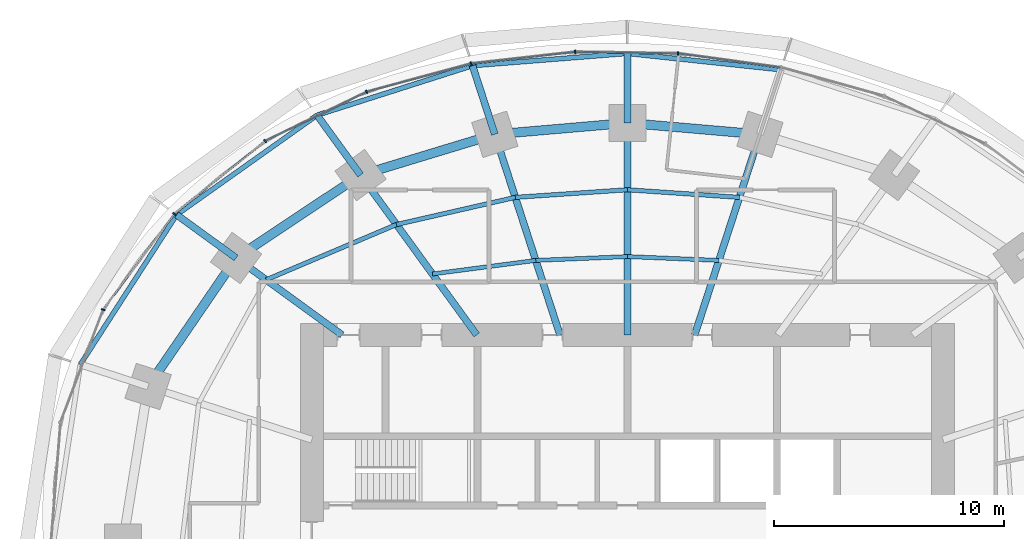
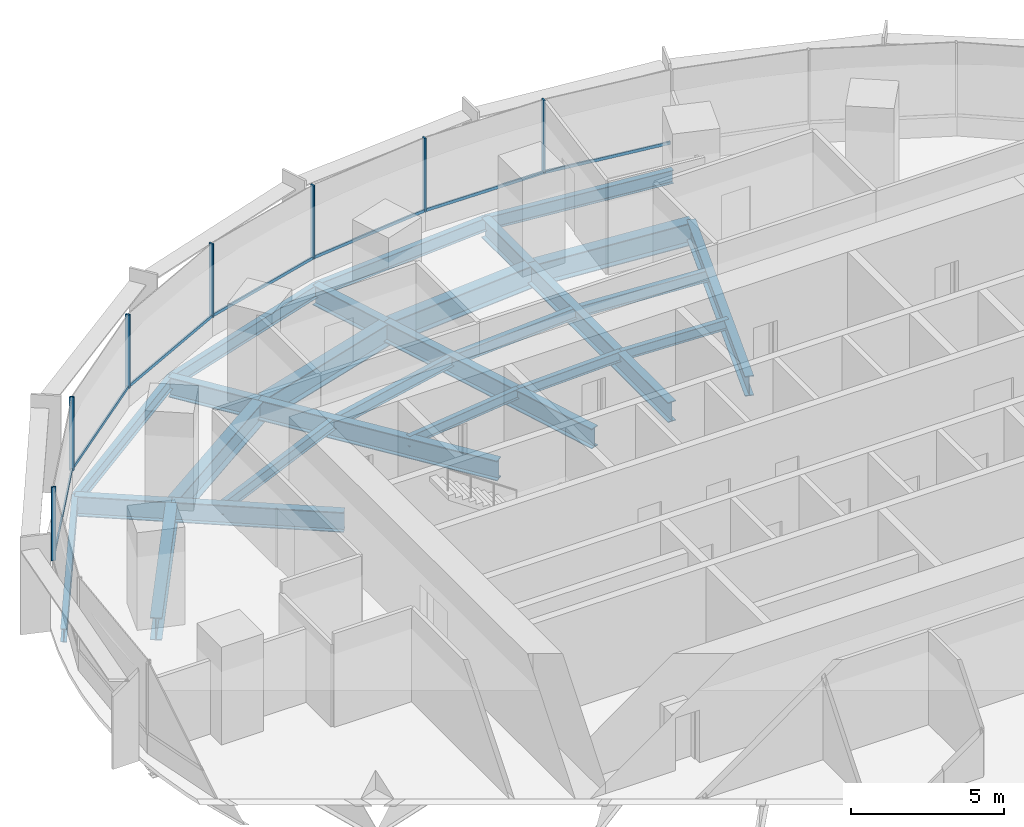
# One storey, part 7 of 14: 26 beams, 14 members, 2 elements without a shape of their own.
"""IFC4 building model written with IfcOpenShell, lengths in metres."""

from ifc_helpers import new_model, si_unit, direction, frame, origin, origin_2d, place, context, subcontext, project, spatial, rectangle, i_section, extrude, material, material_profile, profile_set, type_object, element, aggregate, save


model = new_model("IFC4")

# Units and contexts
model_context = context("Model", 3, precision=1e-05, world=origin(), true_north=direction((0.0, 1.0)))
body_context = subcontext(model_context, "Body", "Model", "MODEL_VIEW")
ifc_project = project(units=[si_unit("LENGTHUNIT", "METRE"), si_unit("AREAUNIT", "SQUARE_METRE"), si_unit("VOLUMEUNIT", "CUBIC_METRE"), si_unit("PLANEANGLEUNIT", "RADIAN"), si_unit("MASSUNIT", "GRAM", prefix="KILO")], contexts=[model_context])

# Site, building, storey
site_placement = place(None, origin())
site = spatial("IfcSite", under=ifc_project, at=site_placement, CompositionType="ELEMENT")
building_placement = place(site_placement, origin())
building = spatial("IfcBuilding", under=site, at=building_placement, Name="Marramba Exchange Tower", CompositionType="ELEMENT")
storey_placement = place(building_placement, frame((0.0, 0.0, 111.89990234375)))
storey = spatial("IfcBuildingStorey", under=building, at=storey_placement, Name="L26", CompositionType="ELEMENT", Elevation=111.89990234375)

# Beams
ifc_material_1 = material(Name="Steel AS/NZS 3679.2 grade 300", Category="steel")
ifc_material_profile_1 = material_profile(ifc_material_1, i_section(OverallWidth=0.300048828125, OverallDepth=0.800048828125, WebThickness=0.013916015625, FlangeThickness=0.031982421875, at=origin_2d()), Name="800WB192")
ifc_profile_set_1 = profile_set([ifc_material_profile_1], Name="Steel AS/NZS 3679.2 grade 300")
beam_type_1 = type_object("IfcBeamType", Name="Cantilever girder 800WB192", PredefinedType="BEAM", material=ifc_profile_set_1)
beam_1_placement = place(storey_placement, frame((0.0, 18.2041015625, -0.559814453125), z_axis=(0.0, 1.0, 0.0), x_axis=(-1.0, 0.0, 0.0)))
element("IfcBeam", 1, at=beam_1_placement, inside=storey, type_object=beam_type_1, Name="Cantilever girder L26 TC06", PredefinedType="BEAM", context=body_context, shape_type="SweptSolid", body=[
    extrude(i_section(OverallWidth=0.300048828125, OverallDepth=0.800048828125, WebThickness=0.013916015625, FlangeThickness=0.031982421875, at=origin_2d()), origin(), (0.0, 0.0, 1.0), 3.01904296875),
])
beam_2_placement = place(storey_placement, frame((-5.75390625, 17.70849609375, -0.559814453125), z_axis=(-0.309028002802, 0.95105293937, 0.0), x_axis=(-0.95105293937, -0.309028002802, 0.0)))
element("IfcBeam", 2, at=beam_2_placement, inside=storey, type_object=beam_type_1, Name="Cantilever girder L26 TC07", PredefinedType="BEAM", context=body_context, shape_type="SweptSolid", body=[
    extrude(i_section(OverallWidth=0.300048828125, OverallDepth=0.800048828125, WebThickness=0.013916015625, FlangeThickness=0.031982421875, at=origin_2d()), origin(), (0.0, 0.0, 1.0), 3.13720703125),
])
beam_3_placement = place(storey_placement, frame((-11.581298828125, 15.9404296875, -0.559814453125), z_axis=(-0.587828447158, 0.808985609706, 0.0), x_axis=(-0.808985609706, -0.587828447158, 0.0)))
element("IfcBeam", 3, at=beam_3_placement, inside=storey, type_object=beam_type_1, Name="Cantilever girder L26 TC08", PredefinedType="BEAM", context=body_context, shape_type="SweptSolid", body=[
    extrude(i_section(OverallWidth=0.300048828125, OverallDepth=0.800048828125, WebThickness=0.013916015625, FlangeThickness=0.031982421875, at=origin_2d()), origin(), (0.0, 0.0, 1.0), 3.214599609375),
])
beam_4_placement = place(storey_placement, frame((-16.98583984375, 12.3408203125, -0.559814453125), z_axis=(-0.809013857915, 0.587789569234, 0.0), x_axis=(-0.587789569234, -0.809013857915, 0.0)))
element("IfcBeam", 4, at=beam_4_placement, inside=storey, type_object=beam_type_1, Name="Cantilever girder L26 TC09", PredefinedType="BEAM", context=body_context, shape_type="SweptSolid", body=[
    extrude(i_section(OverallWidth=0.300048828125, OverallDepth=0.800048828125, WebThickness=0.013916015625, FlangeThickness=0.031982421875, at=origin_2d()), origin(), (0.0, 0.0, 1.0), 3.191650390625),
])
ifc_material_2 = material(Name="Steel AS/NZS 3679.1 grade 300", Category="steel")
ifc_material_profile_2 = material_profile(ifc_material_2, i_section(OverallWidth=0.177978515625, OverallDepth=0.406005859375, WebThickness=0.0078125, FlangeThickness=0.0126953125, FilletRadius=0.011474609375, at=origin_2d()), Name="410UB59.7")
ifc_profile_set_2 = profile_set([ifc_material_profile_2], Name="Steel AS/NZS 3679.1 grade 300")
beam_type_2 = type_object("IfcBeamType", Name="Floor joist 410UB59.7", PredefinedType="JOIST", material=ifc_profile_set_2)
for number, where, z_axis, x_axis, name in (
    (5, (3.975830078125, 12.236083984375, -0.36279296875), (-0.999137002892, 0.041536122257, 0.0), (-0.041536122257, -0.999137002892, 0.0), "Joist L26 bay 05 row 1"),
    (6, (0.0, 12.4013671875, -0.36279296875), (-0.999137002892, -0.041536122257, 0.0), (0.041536122257, -0.999137002892, 0.0), "Joist L26 bay 06 row 1"),
):
    element("IfcBeam", number, at=place(storey_placement, frame(where, z_axis=z_axis, x_axis=x_axis)), inside=storey, type_object=beam_type_2, Name=name, PredefinedType="JOIST", context=body_context, shape_type="SweptSolid", body=[
        extrude(i_section(OverallWidth=0.177978515625, OverallDepth=0.406005859375, WebThickness=0.0078125, FlangeThickness=0.0126953125, FilletRadius=0.011474609375, at=origin_2d()), origin(), (0.0, 0.0, 1.0), 3.979248046875),
    ])
beam_5_placement = place(storey_placement, frame((-3.975830078125, 12.236083984375, -0.36279296875), z_axis=(-0.991480538255, -0.130254912618, 0.0), x_axis=(0.130254912618, -0.991480538255, 0.0)))
element("IfcBeam", 7, at=beam_5_placement, inside=storey, type_object=beam_type_2, Name="Joist L26 bay 07 row 1", PredefinedType="JOIST", context=body_context, shape_type="SweptSolid", body=[
    extrude(i_section(OverallWidth=0.177978515625, OverallDepth=0.406005859375, WebThickness=0.0078125, FlangeThickness=0.0126953125, FilletRadius=0.011474609375, at=origin_2d()), origin(), (0.0, 0.0, 1.0), 4.524658203125),
])
ifc_material_profile_3 = material_profile(ifc_material_2, i_section(OverallWidth=0.18994140625, OverallDepth=0.4541015625, WebThickness=0.008544921875, FlangeThickness=0.0126953125, FilletRadius=0.011474609375, at=origin_2d()), Name="460UB67.1")
ifc_profile_set_3 = profile_set([ifc_material_profile_3], Name="Steel AS/NZS 3679.1 grade 300")
beam_type_3 = type_object("IfcBeamType", Name="Floor joist 460UB67.1", PredefinedType="JOIST", material=ifc_profile_set_3)
for number, where, z_axis, x_axis, name in (
    (8, (4.86474609375, 14.972412109375, -0.386962890625), (-0.997702652202, 0.067745241816, 0.0), (-0.067745241816, -0.997702652202, 0.0), "Joist L26 bay 05 row 2"),
    (9, (0.0, 15.302734375, -0.386962890625), (-0.997702652202, -0.067745241816, 0.0), (0.067745241816, -0.997702652202, 0.0), "Joist L26 bay 06 row 2"),
):
    element("IfcBeam", number, at=place(storey_placement, frame(where, z_axis=z_axis, x_axis=x_axis)), inside=storey, type_object=beam_type_3, Name=name, PredefinedType="JOIST", context=body_context, shape_type="SweptSolid", body=[
        extrude(i_section(OverallWidth=0.18994140625, OverallDepth=0.4541015625, WebThickness=0.008544921875, FlangeThickness=0.0126953125, FilletRadius=0.011474609375, at=origin_2d()), origin(), (0.0, 0.0, 1.0), 4.8759765625),
    ])
beam_6_placement = place(storey_placement, frame((-4.86474609375, 14.972412109375, -0.386962890625), z_axis=(-0.974859652292, -0.222819788916, 0.0), x_axis=(0.222819788916, -0.974859652292, 0.0)))
element("IfcBeam", 10, at=beam_6_placement, inside=storey, type_object=beam_type_3, Name="Joist L26 bay 07 row 2", PredefinedType="JOIST", context=body_context, shape_type="SweptSolid", body=[
    extrude(i_section(OverallWidth=0.18994140625, OverallDepth=0.4541015625, WebThickness=0.008544921875, FlangeThickness=0.0126953125, FilletRadius=0.011474609375, at=origin_2d()), origin(), (0.0, 0.0, 1.0), 5.2900390625),
])
beam_7_placement = place(storey_placement, frame((-10.021728515625, 13.793701171875, -0.386962890625), z_axis=(-0.920674336375, -0.390331610738, 0.0), x_axis=(0.390331610738, -0.920674336375, 0.0)))
element("IfcBeam", 11, at=beam_7_placement, inside=storey, type_object=beam_type_3, Name="Joist L26 bay 08 row 2", PredefinedType="JOIST", context=body_context, shape_type="SweptSolid", body=[
    extrude(i_section(OverallWidth=0.18994140625, OverallDepth=0.4541015625, WebThickness=0.008544921875, FlangeThickness=0.0126953125, FilletRadius=0.011474609375, at=origin_2d()), origin(), (0.0, 0.0, 1.0), 6.1484375),
])

# Curtain wall, members
ifc_material_3 = material(Name="Aluminium framing, bronze anodised", Category="aluminium")
curtain_wall_type = type_object("IfcCurtainWallType", Name="Office ribbon curtain wall", PredefinedType="USERDEFINED", material=ifc_material_3)
curtain_wall_1_placement = place(storey_placement, origin())
curtain_wall_1 = element("IfcCurtainWall", 12, at=curtain_wall_1_placement, inside=storey, type_object=curtain_wall_type, Name="Curtain wall CW4 L26 F06-F10", ObjectType="RIBBON CURTAIN WALL", PredefinedType="USERDEFINED")
ifc_material_4 = material(Name="Aluminium mullion, bronze anodised", Category="aluminium")
ifc_material_profile_4 = material_profile(ifc_material_4, rectangle(XDim=0.159912109375, YDim=0.06005859375, at=origin_2d()), Name="CW4 mullion 60x160")
ifc_profile_set_4 = profile_set([ifc_material_profile_4], Name="Aluminium mullion, bronze anodised")
member_type_1 = type_object("IfcMemberType", Name="Office ribbon curtain wall mullion", PredefinedType="MULLION", material=ifc_profile_set_4)
member_1_placement = place(storey_placement, frame((2.200439453125, 21.2216796875, 0.800048828125), z_axis=(0.0, 0.0, 1.0), x_axis=(-0.01575578169, -0.999875869968, 0.0)))
member_1 = element("IfcMember", 13, at=member_1_placement, type_object=member_type_1, Name="CW4 mullion 1", PredefinedType="MULLION", context=body_context, shape_type="SweptSolid", body=[
    extrude(rectangle(XDim=0.159912109375, YDim=0.06005859375, at=origin_2d()), origin(), (0.0, 0.0, 1.0), 2.93994140625),
])
member_2_placement = place(storey_placement, frame((-2.267578125, 21.288330078125, 0.800048828125), z_axis=(0.0, 0.0, 1.0), x_axis=(0.110973233233, -0.993823395532, 0.0)))
member_2 = element("IfcMember", 14, at=member_2_placement, type_object=member_type_1, Name="CW4 mullion 1", PredefinedType="MULLION", context=body_context, shape_type="SweptSolid", body=[
    extrude(rectangle(XDim=0.159912109375, YDim=0.06005859375, at=origin_2d()), origin(), (0.0, 0.0, 1.0), 2.93994140625),
])
member_3_placement = place(storey_placement, frame((-6.783203125, 20.779541015625, 0.800048828125), z_axis=(0.0, 0.0, 1.0), x_axis=(0.260321294588, -0.965522047176, 0.0)))
member_3 = element("IfcMember", 15, at=member_3_placement, type_object=member_type_1, Name="CW4 mullion 1", PredefinedType="MULLION", context=body_context, shape_type="SweptSolid", body=[
    extrude(rectangle(XDim=0.159912109375, YDim=0.06005859375, at=origin_2d()), origin(), (0.0, 0.0, 1.0), 2.93994140625),
])

curtain_wall_2_placement = place(storey_placement, origin())
curtain_wall_2 = element("IfcCurtainWall", 16, at=curtain_wall_2_placement, inside=storey, type_object=curtain_wall_type, Name="Curtain wall CW4 L26 F11-F15", ObjectType="RIBBON CURTAIN WALL", PredefinedType="USERDEFINED")
member_4_placement = place(storey_placement, frame((-11.32177734375, 19.550048828125, 0.800048828125), z_axis=(0.0, 0.0, 1.0), x_axis=(0.435427626771, -0.900223739881, 0.0)))
member_4 = element("IfcMember", 17, at=member_4_placement, type_object=member_type_1, Name="CW4 mullion 1", PredefinedType="MULLION", context=body_context, shape_type="SweptSolid", body=[
    extrude(rectangle(XDim=0.159912109375, YDim=0.06005859375, at=origin_2d()), origin(), (0.0, 0.0, 1.0), 2.93994140625),
])
member_5_placement = place(storey_placement, frame((-15.720703125, 17.414794921875, 0.800048828125), z_axis=(0.0, 0.0, 1.0), x_axis=(0.624307950145, -0.78117833008, 0.0)))
member_5 = element("IfcMember", 18, at=member_5_placement, type_object=member_type_1, Name="CW4 mullion 1", PredefinedType="MULLION", context=body_context, shape_type="SweptSolid", body=[
    extrude(rectangle(XDim=0.159912109375, YDim=0.06005859375, at=origin_2d()), origin(), (0.0, 0.0, 1.0), 2.93994140625),
])
member_6_placement = place(storey_placement, frame((-19.666748046875, 14.251708984375, 0.800048828125), z_axis=(0.0, 0.0, 1.0), x_axis=(0.80171686484, -0.597703997504, 0.0)))
member_6 = element("IfcMember", 19, at=member_6_placement, type_object=member_type_1, Name="CW4 mullion 1", PredefinedType="MULLION", context=body_context, shape_type="SweptSolid", body=[
    extrude(rectangle(XDim=0.159912109375, YDim=0.06005859375, at=origin_2d()), origin(), (0.0, 0.0, 1.0), 2.93994140625),
])
member_7_placement = place(storey_placement, frame((-22.75341796875, 10.09765625, 0.800048828125), z_axis=(0.0, 0.0, 1.0), x_axis=(0.934925346317, -0.354844468484, 0.0)))
member_7 = element("IfcMember", 20, at=member_7_placement, type_object=member_type_1, Name="CW4 mullion 1", PredefinedType="MULLION", context=body_context, shape_type="SweptSolid", body=[
    extrude(rectangle(XDim=0.159912109375, YDim=0.06005859375, at=origin_2d()), origin(), (0.0, 0.0, 1.0), 2.93994140625),
])

# Member
ifc_material_5 = material(Name="Aluminium transom, bronze anodised", Category="aluminium")
ifc_material_profile_5 = material_profile(ifc_material_5, rectangle(XDim=0.06005859375, YDim=0.1201171875, at=origin_2d()), Name="CW4 transom 60x120")
ifc_profile_set_5 = profile_set([ifc_material_profile_5], Name="Aluminium transom, bronze anodised")
member_type_2 = type_object("IfcMemberType", Name="Office ribbon curtain wall transom", PredefinedType="USERDEFINED", material=ifc_profile_set_5)
member_8_placement = place(storey_placement, frame((6.636962890625, 20.6171875, 0.830078125), z_axis=(-0.990736067897, 0.135801486619, 0.0), x_axis=(-0.135801486619, -0.990736067897, 0.0)))
member_8 = element("IfcMember", 21, at=member_8_placement, type_object=member_type_2, Name="CW4 sill transom", ObjectType="TRANSOM", PredefinedType="USERDEFINED", context=body_context, shape_type="SweptSolid", body=[
    extrude(rectangle(XDim=0.06005859375, YDim=0.1201171875, at=origin_2d()), origin(), (0.0, 0.0, 1.0), 4.44775390625),
])

member_9_placement = place(storey_placement, frame((2.17041015625, 21.22216796875, 0.830078125), z_axis=(-0.999875452363, 0.015782260962, 0.0), x_axis=(-0.015782260962, -0.999875452363, 0.0)))
member_9 = element("IfcMember", 22, at=member_9_placement, type_object=member_type_2, Name="CW4 sill transom", ObjectType="TRANSOM", PredefinedType="USERDEFINED", context=body_context, shape_type="SweptSolid", body=[
    extrude(rectangle(XDim=0.06005859375, YDim=0.1201171875, at=origin_2d()), origin(), (0.0, 0.0, 1.0), 4.40869140625),
])

member_10_placement = place(storey_placement, frame((-2.29736328125, 21.284912109375, 0.830078125), z_axis=(-0.993825837835, -0.110951358943, 0.0), x_axis=(0.110951358943, -0.993825837835, 0.0)))
member_10 = element("IfcMember", 23, at=member_10_placement, type_object=member_type_2, Name="CW4 sill transom", ObjectType="TRANSOM", PredefinedType="USERDEFINED", context=body_context, shape_type="SweptSolid", body=[
    extrude(rectangle(XDim=0.06005859375, YDim=0.1201171875, at=origin_2d()), origin(), (0.0, 0.0, 1.0), 4.484375),
])

member_11_placement = place(storey_placement, frame((-6.812255859375, 20.771728515625, 0.830078125), z_axis=(-0.965511085148, -0.260361948942, 0.0), x_axis=(0.260361948942, -0.965511085148, 0.0)))
member_11 = element("IfcMember", 24, at=member_11_placement, type_object=member_type_2, Name="CW4 sill transom", ObjectType="TRANSOM", PredefinedType="USERDEFINED", context=body_context, shape_type="SweptSolid", body=[
    extrude(rectangle(XDim=0.06005859375, YDim=0.1201171875, at=origin_2d()), origin(), (0.0, 0.0, 1.0), 4.642578125),
])

aggregate(curtain_wall_1, [member_8, member_1, member_9, member_2, member_10, member_3, member_11])

member_12_placement = place(storey_placement, frame((-11.348876953125, 19.536865234375, 0.830078125), z_axis=(-0.900223166385, -0.435428812442, 0.0), x_axis=(0.435428812442, -0.900223166385, 0.0)))
member_12 = element("IfcMember", 25, at=member_12_placement, type_object=member_type_2, Name="CW4 sill transom", ObjectType="TRANSOM", PredefinedType="USERDEFINED", context=body_context, shape_type="SweptSolid", body=[
    extrude(rectangle(XDim=0.06005859375, YDim=0.1201171875, at=origin_2d()), origin(), (0.0, 0.0, 1.0), 4.830322265625),
])

member_13_placement = place(storey_placement, frame((-15.744140625, 17.396240234375, 0.830078125), z_axis=(-0.781164169531, -0.624325668414, 0.0), x_axis=(0.624325668414, -0.781164169531, 0.0)))
member_13 = element("IfcMember", 26, at=member_13_placement, type_object=member_type_2, Name="CW4 sill transom", ObjectType="TRANSOM", PredefinedType="USERDEFINED", context=body_context, shape_type="SweptSolid", body=[
    extrude(rectangle(XDim=0.06005859375, YDim=0.1201171875, at=origin_2d()), origin(), (0.0, 0.0, 1.0), 4.998291015625),
])

member_14_placement = place(storey_placement, frame((-19.6845703125, 14.2275390625, 0.830078125), z_axis=(-0.597714731658, -0.801708862093, 0.0), x_axis=(0.801708862093, -0.597714731658, 0.0)))
member_14 = element("IfcMember", 27, at=member_14_placement, type_object=member_type_2, Name="CW4 sill transom", ObjectType="TRANSOM", PredefinedType="USERDEFINED", context=body_context, shape_type="SweptSolid", body=[
    extrude(rectangle(XDim=0.06005859375, YDim=0.1201171875, at=origin_2d()), origin(), (0.0, 0.0, 1.0), 5.1162109375),
])

aggregate(curtain_wall_2, [member_4, member_12, member_5, member_13, member_6, member_14, member_7])

# Beams
ifc_material_profile_6 = material_profile(ifc_material_1, i_section(OverallWidth=0.300048828125, OverallDepth=0.800048828125, WebThickness=0.013916015625, FlangeThickness=0.031982421875, at=origin_2d()), Name="800WB192")
ifc_profile_set_6 = profile_set([ifc_material_profile_6], Name="Steel AS/NZS 3679.2 grade 300")
beam_type_4 = type_object("IfcBeamType", Name="Radial girder 800WB192", PredefinedType="BEAM", material=ifc_profile_set_6)
beam_8_placement = place(storey_placement, frame((2.92431640625, 9.0, -0.559814453125), z_axis=(0.309019754162, 0.951055619582, 0.0), x_axis=(-0.951055619582, 0.309019754162, 0.0)))
element("IfcBeam", 28, at=beam_8_placement, inside=storey, type_object=beam_type_4, Name="Radial girder L26 TC05", PredefinedType="BEAM", context=body_context, shape_type="SweptSolid", body=[
    extrude(i_section(OverallWidth=0.300048828125, OverallDepth=0.800048828125, WebThickness=0.013916015625, FlangeThickness=0.031982421875, at=origin_2d()), origin(), (0.0, 0.0, 1.0), 9.15673828125),
])
beam_9_placement = place(storey_placement, frame((0.0, 9.0, -0.559814453125), z_axis=(0.0, 1.0, 0.0), x_axis=(-1.0, 0.0, 0.0)))
element("IfcBeam", 29, at=beam_9_placement, inside=storey, type_object=beam_type_4, Name="Radial girder L26 TC06", PredefinedType="BEAM", context=body_context, shape_type="SweptSolid", body=[
    extrude(i_section(OverallWidth=0.300048828125, OverallDepth=0.800048828125, WebThickness=0.013916015625, FlangeThickness=0.031982421875, at=origin_2d()), origin(), (0.0, 0.0, 1.0), 9.2041015625),
])
beam_10_placement = place(storey_placement, frame((-2.92431640625, 9.0, -0.559814453125), z_axis=(-0.309019754162, 0.951055619582, 0.0), x_axis=(-0.951055619582, -0.309019754162, 0.0)))
element("IfcBeam", 30, at=beam_10_placement, inside=storey, type_object=beam_type_4, Name="Radial girder L26 TC07", PredefinedType="BEAM", context=body_context, shape_type="SweptSolid", body=[
    extrude(i_section(OverallWidth=0.300048828125, OverallDepth=0.800048828125, WebThickness=0.013916015625, FlangeThickness=0.031982421875, at=origin_2d()), origin(), (0.0, 0.0, 1.0), 9.15673828125),
])
beam_11_placement = place(storey_placement, frame((-6.538818359375, 9.0, -0.559814453125), z_axis=(-0.587782439969, 0.80901903764, 0.0), x_axis=(-0.80901903764, -0.587782439969, 0.0)))
element("IfcBeam", 31, at=beam_11_placement, inside=storey, type_object=beam_type_4, Name="Radial girder L26 TC08", PredefinedType="BEAM", context=body_context, shape_type="SweptSolid", body=[
    extrude(i_section(OverallWidth=0.300048828125, OverallDepth=0.800048828125, WebThickness=0.013916015625, FlangeThickness=0.031982421875, at=origin_2d()), origin(), (0.0, 0.0, 1.0), 8.578857421875),
])
beam_12_placement = place(storey_placement, frame((-12.387451171875, 9.0, -0.559814453125), z_axis=(-0.809025746925, 0.587773205252, 0.0), x_axis=(-0.587773205252, -0.809025746925, 0.0)))
element("IfcBeam", 32, at=beam_12_placement, inside=storey, type_object=beam_type_4, Name="Radial girder L26 TC09", PredefinedType="BEAM", context=body_context, shape_type="SweptSolid", body=[
    extrude(i_section(OverallWidth=0.300048828125, OverallDepth=0.800048828125, WebThickness=0.013916015625, FlangeThickness=0.031982421875, at=origin_2d()), origin(), (0.0, 0.0, 1.0), 5.683837890625),
])
ifc_material_profile_7 = material_profile(ifc_material_1, i_section(OverallWidth=0.39990234375, OverallDepth=0.89990234375, WebThickness=0.01611328125, FlangeThickness=0.031982421875, at=origin_2d()), Name="900WB282")
ifc_profile_set_7 = profile_set([ifc_material_profile_7], Name="Steel AS/NZS 3679.2 grade 300")
beam_type_5 = type_object("IfcBeamType", Name="Ring beam 900WB282", PredefinedType="SPANDREL", material=ifc_profile_set_7)
for number, where, z_axis, x_axis, name in (
    (33, (5.75390625, 17.70849609375, -0.60986328125), (-0.996311003275, 0.085815993578, 0.0), (-0.085815993578, -0.996311003275, 0.0), "Ring beam L26 TC05-TC06"),
    (34, (0.0, 18.2041015625, -0.60986328125), (-0.996311003275, -0.085815993578, 0.0), (0.085815993578, -0.996311003275, 0.0), "Ring beam L26 TC06-TC07"),
):
    element("IfcBeam", number, at=place(storey_placement, frame(where, z_axis=z_axis, x_axis=x_axis)), inside=storey, type_object=beam_type_5, Name=name, PredefinedType="SPANDREL", context=body_context, shape_type="SweptSolid", body=[
        extrude(i_section(OverallWidth=0.39990234375, OverallDepth=0.89990234375, WebThickness=0.01611328125, FlangeThickness=0.031982421875, at=origin_2d()), origin(), (0.0, 0.0, 1.0), 5.775146484375),
    ])
beam_13_placement = place(storey_placement, frame((-5.75390625, 17.70849609375, -0.60986328125), z_axis=(-0.956924542524, -0.290336735387, 0.0), x_axis=(0.290336735387, -0.956924542524, 0.0)))
element("IfcBeam", 35, at=beam_13_placement, inside=storey, type_object=beam_type_5, Name="Ring beam L26 TC07-TC08", PredefinedType="SPANDREL", context=body_context, shape_type="SweptSolid", body=[
    extrude(i_section(OverallWidth=0.39990234375, OverallDepth=0.89990234375, WebThickness=0.01611328125, FlangeThickness=0.031982421875, at=origin_2d()), origin(), (0.0, 0.0, 1.0), 6.089599609375),
])
beam_14_placement = place(storey_placement, frame((-11.581298828125, 15.9404296875, -0.60986328125), z_axis=(-0.832293151443, -0.554335737673, 0.0), x_axis=(0.554335737673, -0.832293151443, 0.0)))
element("IfcBeam", 36, at=beam_14_placement, inside=storey, type_object=beam_type_5, Name="Ring beam L26 TC08-TC09", PredefinedType="SPANDREL", context=body_context, shape_type="SweptSolid", body=[
    extrude(i_section(OverallWidth=0.39990234375, OverallDepth=0.89990234375, WebThickness=0.01611328125, FlangeThickness=0.031982421875, at=origin_2d()), origin(), (0.0, 0.0, 1.0), 6.49365234375),
])
beam_15_placement = place(storey_placement, frame((-16.98583984375, 12.3408203125, -0.60986328125), z_axis=(-0.56516002054, -0.824981303535, 0.0), x_axis=(0.824981303535, -0.56516002054, 0.0)))
element("IfcBeam", 37, at=beam_15_placement, inside=storey, type_object=beam_type_5, Name="Ring beam L26 TC09-TC10", PredefinedType="SPANDREL", context=body_context, shape_type="SweptSolid", body=[
    extrude(i_section(OverallWidth=0.39990234375, OverallDepth=0.89990234375, WebThickness=0.01611328125, FlangeThickness=0.031982421875, at=origin_2d()), origin(), (0.0, 0.0, 1.0), 6.763671875),
])
ifc_material_profile_8 = material_profile(ifc_material_2, i_section(OverallWidth=0.208984375, OverallDepth=0.528076171875, WebThickness=0.009521484375, FlangeThickness=0.01318359375, FilletRadius=0.013916015625, at=origin_2d()), Name="530UB82.0")
ifc_profile_set_8 = profile_set([ifc_material_profile_8], Name="Steel AS/NZS 3679.1 grade 300")
beam_type_6 = type_object("IfcBeamType", Name="Slab edge beam 530UB82.0", PredefinedType="SPANDREL", material=ifc_profile_set_8)
beam_16_placement = place(storey_placement, frame((6.66552734375, 20.51416015625, -0.423828125), z_axis=(-0.994390706415, 0.105769196815, 0.0), x_axis=(-0.105769196815, -0.994390706415, 0.0)))
element("IfcBeam", 38, at=beam_16_placement, inside=storey, type_object=beam_type_6, Name="Slab edge beam L26 TC05-TC06", PredefinedType="SPANDREL", context=body_context, shape_type="SweptSolid", body=[
    extrude(i_section(OverallWidth=0.208984375, OverallDepth=0.528076171875, WebThickness=0.009521484375, FlangeThickness=0.01318359375, FilletRadius=0.013916015625, at=origin_2d()), origin(), (0.0, 0.0, 1.0), 6.703125),
])
beam_17_placement = place(storey_placement, frame((0.0, 21.22314453125, -0.423828125), z_axis=(-0.996895681721, -0.078733726996, 0.0), x_axis=(0.078733726996, -0.996895681721, 0.0)))
element("IfcBeam", 39, at=beam_17_placement, inside=storey, type_object=beam_type_6, Name="Slab edge beam L26 TC06-TC07", PredefinedType="SPANDREL", context=body_context, shape_type="SweptSolid", body=[
    extrude(i_section(OverallWidth=0.208984375, OverallDepth=0.528076171875, WebThickness=0.009521484375, FlangeThickness=0.01318359375, FilletRadius=0.013916015625, at=origin_2d()), origin(), (0.0, 0.0, 1.0), 6.744384765625),
])
beam_18_placement = place(storey_placement, frame((-6.723388671875, 20.692138671875, -0.423828125), z_axis=(-0.952755400854, -0.303738614839, 0.0), x_axis=(0.303738614839, -0.952755400854, 0.0)))
element("IfcBeam", 40, at=beam_18_placement, inside=storey, type_object=beam_type_6, Name="Slab edge beam L26 TC07-TC08", PredefinedType="SPANDREL", context=body_context, shape_type="SweptSolid", body=[
    extrude(i_section(OverallWidth=0.208984375, OverallDepth=0.528076171875, WebThickness=0.009521484375, FlangeThickness=0.01318359375, FilletRadius=0.013916015625, at=origin_2d()), origin(), (0.0, 0.0, 1.0), 7.08203125),
])
beam_19_placement = place(storey_placement, frame((-13.470947265625, 18.541015625, -0.423828125), z_axis=(-0.815673202412, -0.578512944425, 0.0), x_axis=(0.578512944425, -0.815673202412, 0.0)))
element("IfcBeam", 41, at=beam_19_placement, inside=storey, type_object=beam_type_6, Name="Slab edge beam L26 TC08-TC09", PredefinedType="SPANDREL", context=body_context, shape_type="SweptSolid", body=[
    extrude(i_section(OverallWidth=0.208984375, OverallDepth=0.528076171875, WebThickness=0.009521484375, FlangeThickness=0.01318359375, FilletRadius=0.013916015625, at=origin_2d()), origin(), (0.0, 0.0, 1.0), 7.474609375),
])
beam_20_placement = place(storey_placement, frame((-19.56787109375, 14.216796875, -0.423828125), z_axis=(-0.541060886597, -0.840983422544, 0.0), x_axis=(0.840983422544, -0.541060886597, 0.0)))
element("IfcBeam", 42, at=beam_20_placement, inside=storey, type_object=beam_type_6, Name="Slab edge beam L26 TC09-TC10", PredefinedType="SPANDREL", context=body_context, shape_type="SweptSolid", body=[
    extrude(i_section(OverallWidth=0.208984375, OverallDepth=0.528076171875, WebThickness=0.009521484375, FlangeThickness=0.01318359375, FilletRadius=0.013916015625, at=origin_2d()), origin(), (0.0, 0.0, 1.0), 7.72900390625),
])

save(model, "model.ifc")
